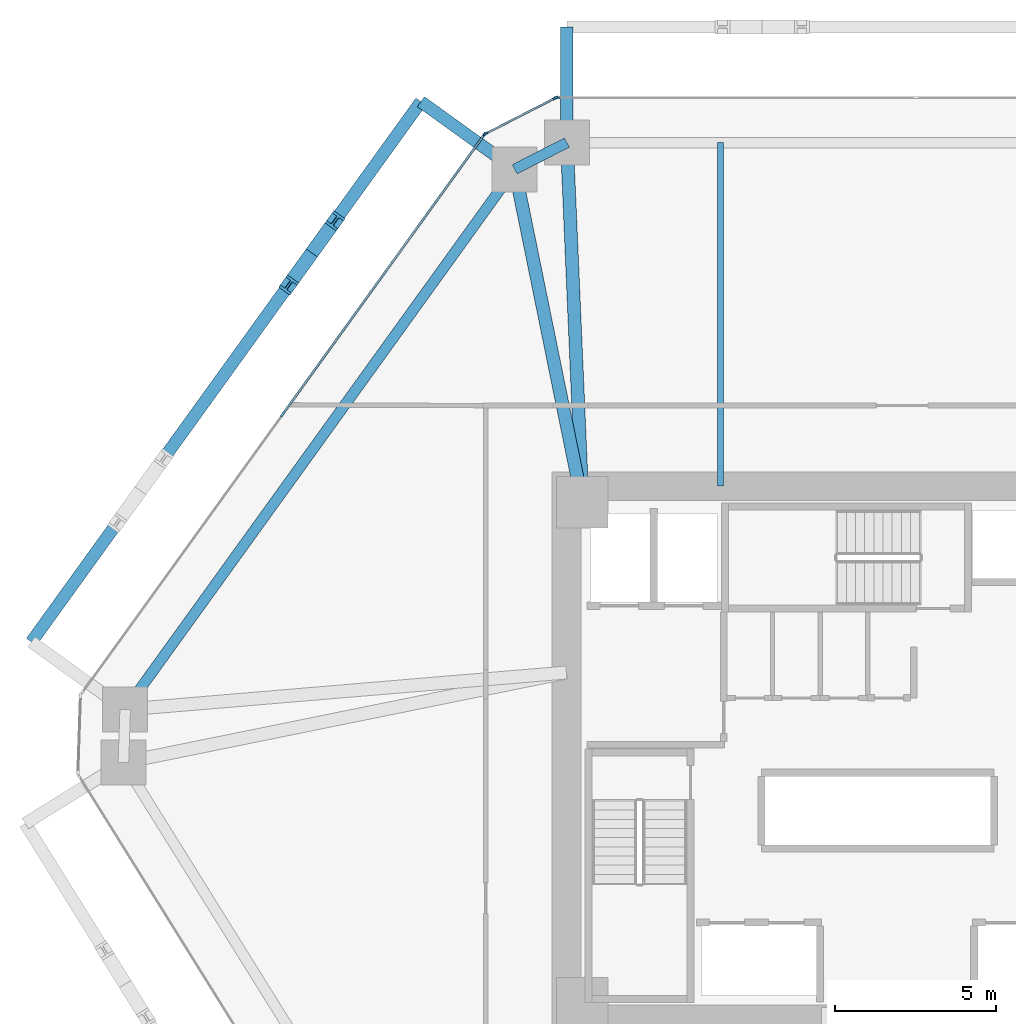
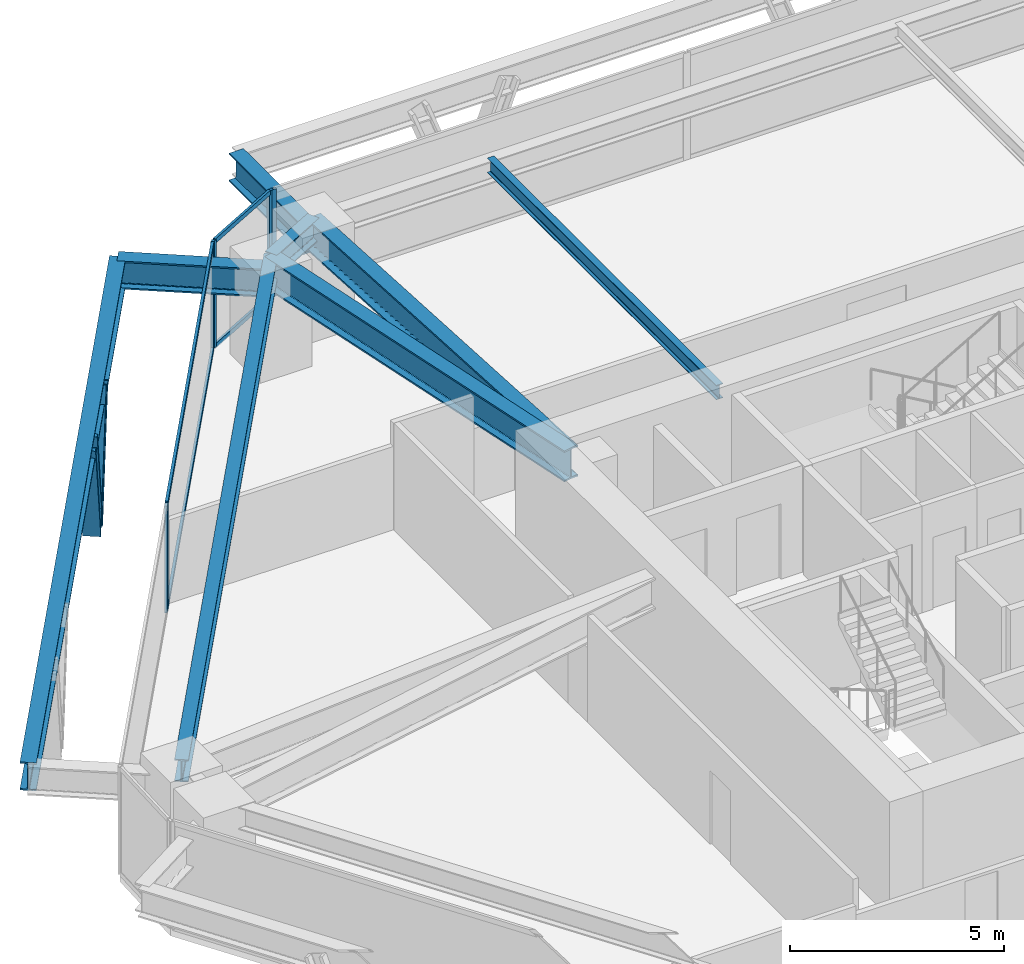
# One storey, part 7 of 14: 11 members, 8 beams, 3 elements without a shape of their own.
"""IFC4 building model written with IfcOpenShell, lengths in metres."""

from ifc_helpers import new_model, si_unit, direction, frame, origin, origin_2d, place, context, subcontext, project, spatial, rectangle, i_section, extrude, source, transform, mapped, material, layer, layer_set, material_profile, profile_set, type_object, type_shapes, element, aggregate, save


model = new_model("IFC4")

# Units and contexts
model_context = context("Model", 3, precision=1e-05, world=origin(), true_north=direction((0.0, 1.0)))
body_context = subcontext(model_context, "Body", "Model", "MODEL_VIEW")
ifc_project = project(units=[si_unit("LENGTHUNIT", "METRE"), si_unit("AREAUNIT", "SQUARE_METRE"), si_unit("VOLUMEUNIT", "CUBIC_METRE"), si_unit("PLANEANGLEUNIT", "RADIAN"), si_unit("MASSUNIT", "GRAM", prefix="KILO")], contexts=[model_context])

# Site, building, storey
site_placement = place(None, origin())
site = spatial("IfcSite", under=ifc_project, at=site_placement, CompositionType="ELEMENT")
building_placement = place(site_placement, origin())
building = spatial("IfcBuilding", under=site, at=building_placement, Name="Durnholm Broadcast Tower", CompositionType="ELEMENT")
storey_placement = place(building_placement, frame((0.0, 0.0, 68.699951171875)))
storey = spatial("IfcBuildingStorey", under=building, at=storey_placement, Name="L17", CompositionType="ELEMENT", Elevation=68.699951171875)

# Beams
ifc_material_1 = material(Name="Steel ASTM A992 Grade 50", Category="steel")
ifc_material_profile_1 = material_profile(ifc_material_1, i_section(OverallWidth=0.3291015625, OverallDepth=0.635009765625, WebThickness=0.017822265625, FlangeThickness=0.031005859375, FilletRadius=0.02783203125, at=origin_2d()), Name="W24X162")
ifc_profile_set_1 = profile_set([ifc_material_profile_1], Name="Steel ASTM A992 Grade 50")
beam_type_1 = type_object("IfcBeamType", Name="STL-SP-W24X162", PredefinedType="SPANDREL", material=ifc_profile_set_1)
shared_shape_1 = source(origin(), body_context, "Body", "SweptSolid", [
    extrude(i_section(OverallWidth=0.3291015625, OverallDepth=0.635009765625, WebThickness=0.017822265625, FlangeThickness=0.031005859375, FilletRadius=0.02783203125, at=origin_2d()), origin(), (0.0, 0.0, 1.0), 20.737060546875),
])
beam_1_placement = place(storey_placement, frame((-24.034912109375, 1.347412109375, 2.7275390625), z_axis=(0.584821933191, 0.811161701795, 0.0), x_axis=(-0.811161701795, 0.584821933191, 0.0)))
element("IfcBeam", 1, at=beam_1_placement, inside=storey, type_object=beam_type_1, Name="L17 perimeter spandrel girder 03", PredefinedType="SPANDREL", context=body_context, shape_type="MappedRepresentation", body=[
    mapped(shared_shape_1, transform((0.0, 0.0, 0.0), x_axis=(1.0, 0.0, 0.0), y_axis=(0.0, 1.0, 0.0), z_axis=(0.0, 0.0, 1.0), scale=1.0)),
])
shared_shape_2 = source(origin(), body_context, "Body", "SweptSolid", [
    extrude(i_section(OverallWidth=0.3291015625, OverallDepth=0.635009765625, WebThickness=0.017822265625, FlangeThickness=0.031005859375, FilletRadius=0.02783203125, at=origin_2d()), origin(), (0.0, 0.0, 1.0), 1.8251953125),
])
type_shapes(beam_type_1, [shared_shape_1, shared_shape_2])
beam_2_placement = place(storey_placement, frame((-11.907470703125, 18.16845703125, 2.7275390625), z_axis=(0.890187609501, 0.455594139438, 0.0), x_axis=(-0.455594139438, 0.890187609501, 0.0)))
element("IfcBeam", 2, at=beam_2_placement, inside=storey, type_object=beam_type_1, Name="L17 perimeter spandrel girder 04", PredefinedType="SPANDREL", context=body_context, shape_type="MappedRepresentation", body=[
    mapped(shared_shape_2, transform((0.0, 0.0, 0.0), x_axis=(1.0, 0.0, 0.0), y_axis=(0.0, 1.0, 0.0), z_axis=(0.0, 0.0, 1.0), scale=1.0)),
])
ifc_material_profile_2 = material_profile(ifc_material_1, i_section(OverallWidth=0.404052734375, OverallDepth=0.885009765625, WebThickness=0.0244140625, FlangeThickness=0.0439453125, FilletRadius=0.03564453125, at=origin_2d()), Name="W33X291")
ifc_profile_set_2 = profile_set([ifc_material_profile_2], Name="Steel ASTM A992 Grade 50")
beam_type_2 = type_object("IfcBeamType", Name="STL-GR-W33X291", PredefinedType="USERDEFINED", material=ifc_profile_set_2)
shared_shape_3 = source(origin(), body_context, "Body", "SweptSolid", [
    extrude(i_section(OverallWidth=0.404052734375, OverallDepth=0.885009765625, WebThickness=0.0244140625, FlangeThickness=0.0439453125, FilletRadius=0.03564453125, at=origin_2d()), origin(), (0.0, 0.0, 1.0), 10.580322265625),
])
beam_3_placement = place(storey_placement, frame((-9.800048828125, 7.800048828125, 2.6025390625), z_axis=(-0.199181458925, 0.979962625012, 0.0), x_axis=(-0.979962625012, -0.199181458925, 0.0)))
element("IfcBeam", 3, at=beam_3_placement, inside=storey, type_object=beam_type_2, Name="L17 radial primary floor girder 04", ObjectType="GIRDER", PredefinedType="USERDEFINED", context=body_context, shape_type="MappedRepresentation", body=[
    mapped(shared_shape_3, transform((0.0, 0.0, 0.0), x_axis=(1.0, 0.0, 0.0), y_axis=(0.0, 1.0, 0.0), z_axis=(0.0, 0.0, 1.0), scale=1.0)),
])
shared_shape_4 = source(origin(), body_context, "Body", "SweptSolid", [
    extrude(i_section(OverallWidth=0.404052734375, OverallDepth=0.885009765625, WebThickness=0.0244140625, FlangeThickness=0.0439453125, FilletRadius=0.03564453125, at=origin_2d()), origin(), (0.0, 0.0, 1.0), 11.21044921875),
])
type_shapes(beam_type_2, [shared_shape_3, shared_shape_4])
beam_4_placement = place(storey_placement, frame((-9.800048828125, 7.800048828125, 2.6025390625), z_axis=(-0.043055404914, 0.999072686098, 0.0), x_axis=(-0.999072686098, -0.043055404914, 0.0)))
element("IfcBeam", 4, at=beam_4_placement, inside=storey, type_object=beam_type_2, Name="L17 radial primary floor girder 05", ObjectType="GIRDER", PredefinedType="USERDEFINED", context=body_context, shape_type="MappedRepresentation", body=[
    mapped(shared_shape_4, transform((0.0, 0.0, 0.0), x_axis=(1.0, 0.0, 0.0), y_axis=(0.0, 1.0, 0.0), z_axis=(0.0, 0.0, 1.0), scale=1.0)),
])
ifc_material_profile_3 = material_profile(ifc_material_1, i_section(OverallWidth=0.180908203125, OverallDepth=0.417236328125, WebThickness=0.010986328125, FlangeThickness=0.018310546875, FilletRadius=0.01904296875, at=origin_2d()), Name="W16X57")
ifc_profile_set_3 = profile_set([ifc_material_profile_3], Name="Steel ASTM A992 Grade 50")
beam_type_3 = type_object("IfcBeamType", Name="STL-BJ-W16X57", PredefinedType="JOIST", material=ifc_profile_set_3)
shared_shape_5 = source(origin(), body_context, "Body", "SweptSolid", [
    extrude(i_section(OverallWidth=0.180908203125, OverallDepth=0.417236328125, WebThickness=0.010986328125, FlangeThickness=0.018310546875, FilletRadius=0.01904296875, at=origin_2d()), origin(), (0.0, 0.0, 1.0), 10.699951171875),
])
type_shapes(beam_type_3, [shared_shape_5])
beam_5_placement = place(storey_placement, frame((-5.5, 8.300048828125, 2.83642578125), z_axis=(0.0, 1.0, 0.0), x_axis=(-1.0, 0.0, 0.0)))
element("IfcBeam", 5, at=beam_5_placement, inside=storey, type_object=beam_type_3, Name="L17 secondary floor joist 3.2", PredefinedType="JOIST", context=body_context, shape_type="MappedRepresentation", body=[
    mapped(shared_shape_5, transform((0.0, 0.0, 0.0), x_axis=(1.0, 0.0, 0.0), y_axis=(0.0, 1.0, 0.0), z_axis=(0.0, 0.0, 1.0), scale=1.0)),
])
ifc_material_profile_4 = material_profile(ifc_material_1, i_section(OverallWidth=0.385009765625, OverallDepth=0.802978515625, WebThickness=0.023681640625, FlangeThickness=0.0419921875, FilletRadius=0.032958984375, at=origin_2d()), Name="W30X261")
ifc_profile_set_4 = profile_set([ifc_material_profile_4], Name="Steel ASTM A992 Grade 50")
beam_type_4 = type_object("IfcBeamType", Name="BM-EXO-TIE", PredefinedType="USERDEFINED", material=ifc_profile_set_4)
shared_shape_6 = source(origin(), body_context, "Body", "SweptSolid", [
    extrude(i_section(OverallWidth=0.385009765625, OverallDepth=0.802978515625, WebThickness=0.023681640625, FlangeThickness=0.0419921875, FilletRadius=0.032958984375, at=origin_2d()), origin(), (0.0, 0.0, 1.0), 3.4560546875),
])
for number, where, z_axis, x_axis, name in (
    (6, (-10.28271484375, 19.14404296875, 2.30859375), (0.0, 1.0, 0.0), (-1.0, 0.0, 0.0), "L17 exoskeleton stand-off tie bracket F4.2"),
    (7, (-12.024169921875, 18.252685546875, 2.30859375), (-0.811157675106, 0.584827518262, 0.0), (-0.584827518262, -0.811157675106, 0.0), "L17 exoskeleton stand-off tie bracket F5.1"),
):
    element("IfcBeam", number, at=place(storey_placement, frame(where, z_axis=z_axis, x_axis=x_axis)), inside=storey, type_object=beam_type_4, Name=name, ObjectType="GIRDER", PredefinedType="USERDEFINED", context=body_context, shape_type="MappedRepresentation", body=[
        mapped(shared_shape_6, transform((0.0, 0.0, 0.0), x_axis=(1.0, 0.0, 0.0), y_axis=(0.0, 1.0, 0.0), z_axis=(0.0, 0.0, 1.0), scale=1.0)),
    ])
shared_shape_7 = source(origin(), body_context, "Body", "SweptSolid", [
    extrude(i_section(OverallWidth=0.385009765625, OverallDepth=0.802978515625, WebThickness=0.023681640625, FlangeThickness=0.0419921875, FilletRadius=0.032958984375, at=origin_2d()), origin(), (0.0, 0.0, 1.0), 20.737060546875),
])
type_shapes(beam_type_4, [shared_shape_6, shared_shape_7])
beam_6_placement = place(storey_placement, frame((-14.82763671875, 20.27392578125, 2.30859375), z_axis=(-0.5848163482, -0.811165728368, 0.0), x_axis=(0.811165728368, -0.5848163482, 0.0)))
element("IfcBeam", 8, at=beam_6_placement, inside=storey, type_object=beam_type_4, Name="L17 exoskeleton collector spandrel F5", PredefinedType="SPANDREL", context=body_context, shape_type="MappedRepresentation", body=[
    mapped(shared_shape_7, transform((0.0, 0.0, 0.0), x_axis=(1.0, 0.0, 0.0), y_axis=(0.0, 1.0, 0.0), z_axis=(0.0, 0.0, 1.0), scale=1.0)),
])

# Members
ifc_material_2 = material(Name="Steel ASTM A913 Grade 65", Category="steel")
ifc_material_profile_5 = material_profile(ifc_material_2, i_section(OverallWidth=0.43212890625, OverallDepth=0.497802734375, WebThickness=0.0556640625, FlangeThickness=0.0888671875, FilletRadius=0.030517578125, at=origin_2d()), Name="W14X500")
ifc_profile_set_5 = profile_set([ifc_material_profile_5], Name="Steel ASTM A913 Grade 65")
member_type_1 = type_object("IfcMemberType", Name="STL-DG-W14X500", PredefinedType="BRACE", material=ifc_profile_set_5)
shared_shape_8 = source(origin(), body_context, "Body", "SweptSolid", [
    extrude(i_section(OverallWidth=0.43212890625, OverallDepth=0.497802734375, WebThickness=0.0556640625, FlangeThickness=0.0888671875, FilletRadius=0.030517578125, at=origin_2d()), origin(), (0.0, 0.0, 1.0), 3.523193359375),
])
type_shapes(member_type_1, [shared_shape_8])
for number, where, z_axis, x_axis, name in (
    (9, (-18.223388671875, 15.56396484375, -0.991455078125), (0.204839138341, 0.284044529113, 0.93667477434), (-0.81109123444, 0.58491966065, 0.0), "L17 stand-off diagrid brace F5.D1.1"),
    (10, (-18.223388671875, 15.56396484375, -0.991455078125), (-0.20477274847, -0.284048560399, 0.936688068046), (0.811185111535, -0.584789461963, 0.0), "L17 stand-off diagrid brace F5.D1.2"),
):
    element("IfcMember", number, at=place(storey_placement, frame(where, z_axis=z_axis, x_axis=x_axis)), inside=storey, type_object=member_type_1, Name=name, PredefinedType="BRACE", context=body_context, shape_type="MappedRepresentation", body=[
        mapped(shared_shape_8, transform((0.0, 0.0, 0.0), x_axis=(1.0, 0.0, 0.0), y_axis=(0.0, 1.0, 0.0), z_axis=(0.0, 0.0, 1.0), scale=1.0)),
    ])

# Curtain wall, members
ifc_material_3 = material(Name="Aluminium and Solar Control IGU", Category="aluminium")
ifc_layer_1 = layer(ifc_material_3, 0.1650390625)
ifc_layer_set_1 = layer_set([ifc_layer_1], Name="Aluminium and Solar Control IGU")
curtain_wall_type_1 = type_object("IfcCurtainWallType", Name="CW-SYS-5", PredefinedType="NOTDEFINED", material=ifc_layer_set_1)
curtain_wall_1_placement = place(storey_placement, origin())
curtain_wall_1 = element("IfcCurtainWall", 11, at=curtain_wall_1_placement, inside=storey, type_object=curtain_wall_type_1, Name="L17 curtain wall CW-CORNER CW-L17-CRN-03", PredefinedType="NOTDEFINED")
ifc_material_4 = material(Name="Aluminium 6063-T6", Category="aluminium")
ifc_material_profile_6 = material_profile(ifc_material_4, rectangle(XDim=0.06494140625, YDim=0.1650390625, at=origin_2d()), Name="CWM65X165")
ifc_profile_set_6 = profile_set([ifc_material_profile_6], Name="Aluminium 6063-T6")
member_type_2 = type_object("IfcMemberType", Name="CW-SYS-5-MUL", PredefinedType="MULLION", material=ifc_profile_set_6)
shared_shape_9 = source(origin(), body_context, "Body", "SweptSolid", [
    extrude(rectangle(XDim=0.06494140625, YDim=0.1650390625, at=origin_2d()), origin(), (0.0, 0.0, 1.0), 3.06005859375),
])
type_shapes(member_type_2, [shared_shape_9])
member_1_placement = place(storey_placement, frame((-12.816650390625, 19.27587890625, 0.0), z_axis=(0.0, 0.0, 1.0), x_axis=(-0.455593758406, 0.890187804512, 0.0)))
member_1 = element("IfcMember", 12, at=member_1_placement, type_object=member_type_2, Name="CW-CORNER mullion 1", PredefinedType="MULLION", context=body_context, shape_type="MappedRepresentation", body=[
    mapped(shared_shape_9, transform((0.0, 0.0, 0.0), x_axis=(1.0, 0.0, 0.0), y_axis=(0.0, 1.0, 0.0), z_axis=(0.0, 0.0, 1.0), scale=1.0)),
])
member_2_placement = place(storey_placement, frame((-10.649169921875, 20.38525390625, 0.0), z_axis=(0.0, 0.0, 1.0), x_axis=(-0.455593758406, 0.890187804512, 0.0)))
member_2 = element("IfcMember", 13, at=member_2_placement, type_object=member_type_2, Name="CW-CORNER mullion 2", PredefinedType="MULLION", context=body_context, shape_type="MappedRepresentation", body=[
    mapped(shared_shape_9, transform((0.0, 0.0, 0.0), x_axis=(1.0, 0.0, 0.0), y_axis=(0.0, 1.0, 0.0), z_axis=(0.0, 0.0, 1.0), scale=1.0)),
])
ifc_material_profile_7 = material_profile(ifc_material_4, rectangle(XDim=0.06494140625, YDim=0.1298828125, at=origin_2d()), Name="CWT65X130")
ifc_profile_set_7 = profile_set([ifc_material_profile_7], Name="Aluminium 6063-T6")
member_type_3 = type_object("IfcMemberType", Name="CW-SYS-5-TRN", PredefinedType="USERDEFINED", material=ifc_profile_set_7)
shared_shape_10 = source(origin(), body_context, "Body", "SweptSolid", [
    extrude(rectangle(XDim=0.06494140625, YDim=0.1298828125, at=origin_2d()), origin(), (0.0, 0.0, 1.0), 2.3701171875),
])
type_shapes(member_type_3, [shared_shape_10])
member_3_placement = place(storey_placement, frame((-12.787841796875, 19.29052734375, 0.032470703125), z_axis=(0.890185016934, 0.455599205033, 0.0), x_axis=(-0.455599205033, 0.890185016934, 0.0)))
member_3 = element("IfcMember", 14, at=member_3_placement, type_object=member_type_3, Name="CW-CORNER transom 1.1", ObjectType="TRANSOM", PredefinedType="USERDEFINED", context=body_context, shape_type="MappedRepresentation", body=[
    mapped(shared_shape_10, transform((0.0, 0.0, 0.0), x_axis=(1.0, 0.0, 0.0), y_axis=(0.0, 1.0, 0.0), z_axis=(0.0, 0.0, 1.0), scale=1.0)),
])
member_4_placement = place(storey_placement, frame((-12.787841796875, 19.29052734375, 3.027587890625), z_axis=(0.890185016934, 0.455599205033, 0.0), x_axis=(-0.455599205033, 0.890185016934, 0.0)))
member_4 = element("IfcMember", 15, at=member_4_placement, type_object=member_type_3, Name="CW-CORNER transom 1.2", ObjectType="TRANSOM", PredefinedType="USERDEFINED", context=body_context, shape_type="MappedRepresentation", body=[
    mapped(shared_shape_10, transform((0.0, 0.0, 0.0), x_axis=(1.0, 0.0, 0.0), y_axis=(0.0, 1.0, 0.0), z_axis=(0.0, 0.0, 1.0), scale=1.0)),
])
aggregate(curtain_wall_1, [member_1, member_2, member_3, member_4])

ifc_layer_2 = layer(ifc_material_3, 0.18994140625)
ifc_layer_set_2 = layer_set([ifc_layer_2], Name="Aluminium and Solar Control IGU")
curtain_wall_type_2 = type_object("IfcCurtainWallType", Name="CW-SYS-3", PredefinedType="NOTDEFINED", material=ifc_layer_set_2)
curtain_wall_2_placement = place(storey_placement, origin())
curtain_wall_2 = element("IfcCurtainWall", 16, at=curtain_wall_2_placement, inside=storey, type_object=curtain_wall_type_2, Name="L17 curtain wall CW-Z12-VIS CW-L17-F02", PredefinedType="NOTDEFINED")
ifc_material_profile_8 = material_profile(ifc_material_4, rectangle(XDim=0.070068359375, YDim=0.18994140625, at=origin_2d()), Name="CWM70X190")
ifc_profile_set_8 = profile_set([ifc_material_profile_8], Name="Aluminium 6063-T6")
member_type_4 = type_object("IfcMemberType", Name="CW-SYS-3-MUL", PredefinedType="MULLION", material=ifc_profile_set_8)
shared_shape_11 = source(origin(), body_context, "Body", "SweptSolid", [
    extrude(rectangle(XDim=0.070068359375, YDim=0.18994140625, at=origin_2d()), origin(), (0.0, 0.0, 1.0), 3.06005859375),
])
type_shapes(member_type_4, [shared_shape_11])
member_5_placement = place(storey_placement, frame((-19.1328125, 10.540771484375, 0.0), z_axis=(0.0, 0.0, 1.0), x_axis=(-0.81116057493, 0.584823496176, 0.0)))
member_5 = element("IfcMember", 17, at=member_5_placement, type_object=member_type_4, Name="CW-Z12-VIS mullion 2", PredefinedType="MULLION", context=body_context, shape_type="MappedRepresentation", body=[
    mapped(shared_shape_11, transform((0.0, 0.0, 0.0), x_axis=(1.0, 0.0, 0.0), y_axis=(0.0, 1.0, 0.0), z_axis=(0.0, 0.0, 1.0), scale=1.0)),
])
member_6_placement = place(storey_placement, frame((-12.8662109375, 19.232666015625, 0.0), z_axis=(0.0, 0.0, 1.0), x_axis=(-0.81116057493, 0.584823496176, 0.0)))
member_6 = element("IfcMember", 18, at=member_6_placement, type_object=member_type_4, Name="CW-Z12-VIS mullion 3", PredefinedType="MULLION", context=body_context, shape_type="MappedRepresentation", body=[
    mapped(shared_shape_11, transform((0.0, 0.0, 0.0), x_axis=(1.0, 0.0, 0.0), y_axis=(0.0, 1.0, 0.0), z_axis=(0.0, 0.0, 1.0), scale=1.0)),
])

# Curtain wall, member
curtain_wall_3_placement = place(storey_placement, origin())
curtain_wall_3 = element("IfcCurtainWall", 19, at=curtain_wall_3_placement, inside=storey, type_object=curtain_wall_type_2, Name="L17 curtain wall CW-Z12-VIS CW-L17-F04", PredefinedType="NOTDEFINED")
member_7_placement = place(storey_placement, frame((-10.585205078125, 20.39990234375, 0.0), z_axis=(0.0, 0.0, 1.0), x_axis=(0.0, 1.0, 0.0)))
member_7 = element("IfcMember", 20, at=member_7_placement, type_object=member_type_4, Name="CW-Z12-VIS mullion 1", PredefinedType="MULLION", context=body_context, shape_type="MappedRepresentation", body=[
    mapped(shared_shape_11, transform((0.0, 0.0, 0.0), x_axis=(1.0, 0.0, 0.0), y_axis=(0.0, 1.0, 0.0), z_axis=(0.0, 0.0, 1.0), scale=1.0)),
])
aggregate(curtain_wall_3, [member_7])

# Member
ifc_material_profile_9 = material_profile(ifc_material_4, rectangle(XDim=0.070068359375, YDim=0.14990234375, at=origin_2d()), Name="CWT70X150")
ifc_profile_set_9 = profile_set([ifc_material_profile_9], Name="Aluminium 6063-T6")
member_type_5 = type_object("IfcMemberType", Name="CW-SYS-3-TRN", PredefinedType="USERDEFINED", material=ifc_profile_set_9)
shared_shape_12 = source(origin(), body_context, "Body", "SweptSolid", [
    extrude(rectangle(XDim=0.070068359375, YDim=0.14990234375, at=origin_2d()), origin(), (0.0, 0.0, 1.0), 10.645263671875),
])
type_shapes(member_type_5, [shared_shape_12])
member_8_placement = place(storey_placement, frame((-19.1123046875, 10.569091796875, 0.03515625), z_axis=(0.584822983179, 0.811160944786, 0.0), x_axis=(-0.811160944786, 0.584822983179, 0.0)))
member_8 = element("IfcMember", 21, at=member_8_placement, type_object=member_type_5, Name="CW-Z12-VIS transom 2.1", ObjectType="TRANSOM", PredefinedType="USERDEFINED", context=body_context, shape_type="MappedRepresentation", body=[
    mapped(shared_shape_12, transform((0.0, 0.0, 0.0), x_axis=(1.0, 0.0, 0.0), y_axis=(0.0, 1.0, 0.0), z_axis=(0.0, 0.0, 1.0), scale=1.0)),
])

member_9_placement = place(storey_placement, frame((-19.1123046875, 10.569091796875, 3.025146484375), z_axis=(0.584822983179, 0.811160944786, 0.0), x_axis=(-0.811160944786, 0.584822983179, 0.0)))
member_9 = element("IfcMember", 22, at=member_9_placement, type_object=member_type_5, Name="CW-Z12-VIS transom 2.2", ObjectType="TRANSOM", PredefinedType="USERDEFINED", context=body_context, shape_type="MappedRepresentation", body=[
    mapped(shared_shape_12, transform((0.0, 0.0, 0.0), x_axis=(1.0, 0.0, 0.0), y_axis=(0.0, 1.0, 0.0), z_axis=(0.0, 0.0, 1.0), scale=1.0)),
])

aggregate(curtain_wall_2, [member_5, member_6, member_8, member_9])

save(model, "model.ifc")
